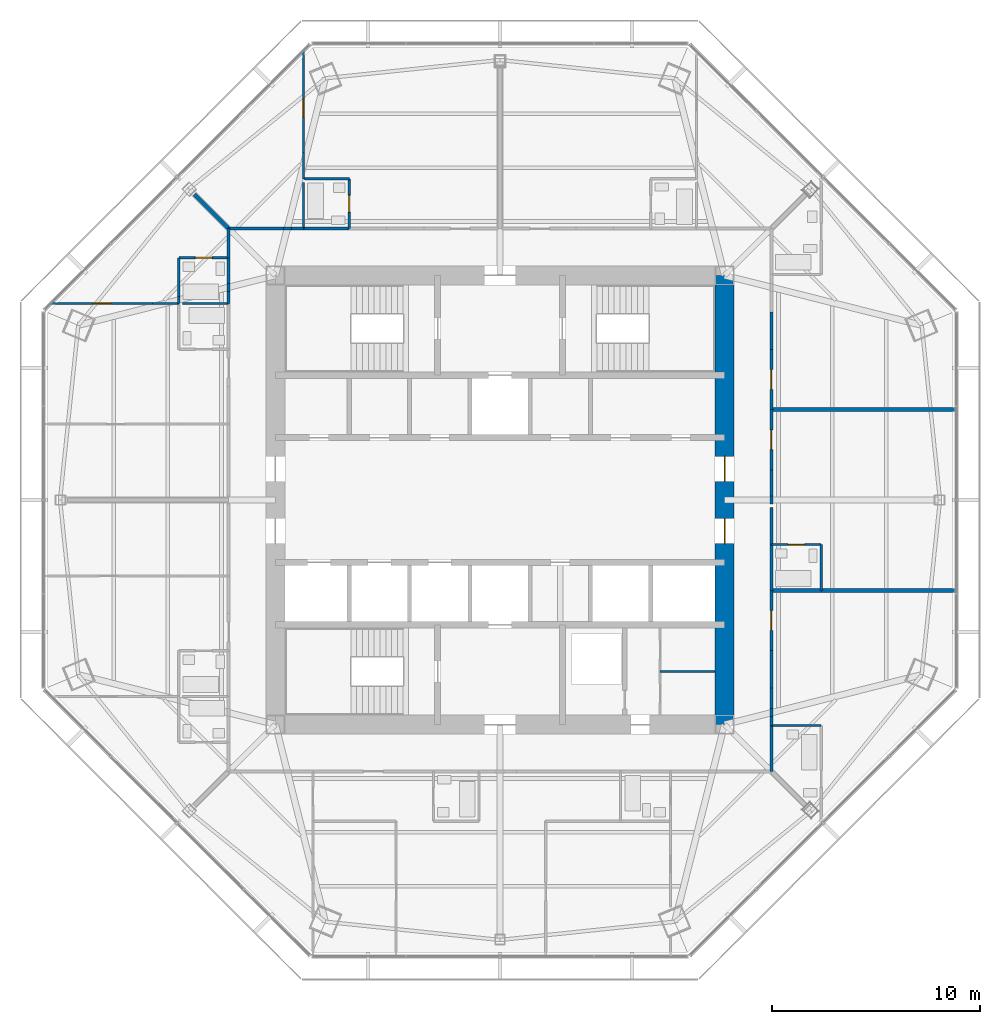
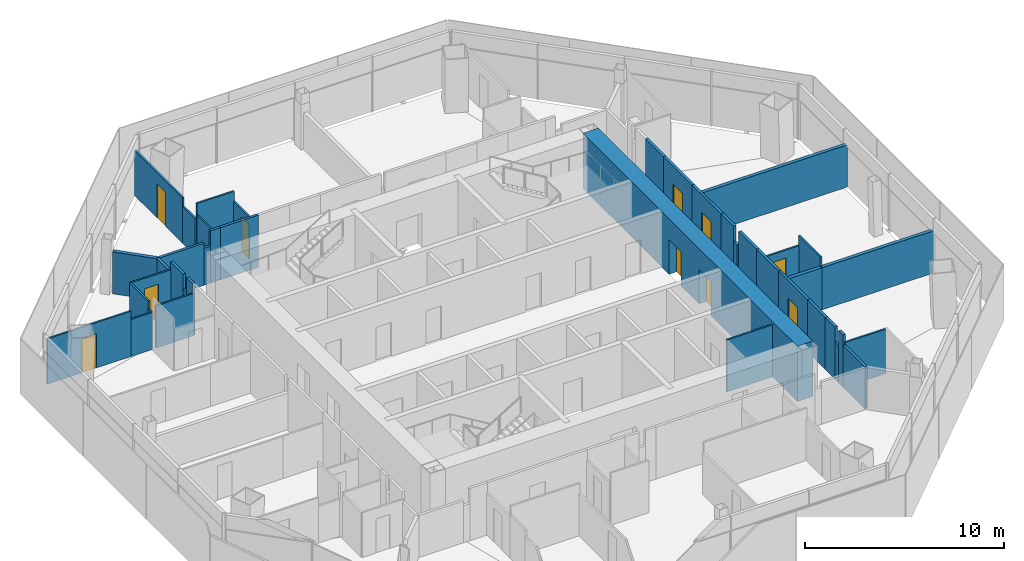
# One storey, part 11 of 15: 41 walls, 10 doors, 10 openings.
"""IFC4 building model written with IfcOpenShell, lengths in metres."""

from ifc_helpers import new_model, si_unit, direction, frame, frame_2d, origin, place, context, subcontext, project, spatial, rectangle, extrude, material, layer, layer_set, type_object, element, fill, save


model = new_model("IFC4")

# Units and contexts
model_context = context("Model", 3, precision=1e-05, world=origin(), true_north=direction((0.0, 1.0)))
body_context = subcontext(model_context, "Body", "Model", "MODEL_VIEW")
ifc_project = project(units=[si_unit("LENGTHUNIT", "METRE"), si_unit("AREAUNIT", "SQUARE_METRE"), si_unit("VOLUMEUNIT", "CUBIC_METRE"), si_unit("PLANEANGLEUNIT", "RADIAN"), si_unit("MASSUNIT", "GRAM", prefix="KILO")], contexts=[model_context])

# Site, building, storey
site_placement = place(None, origin())
site = spatial("IfcSite", under=ifc_project, at=site_placement, CompositionType="ELEMENT")
building_placement = place(site_placement, origin())
building = spatial("IfcBuilding", under=site, at=building_placement, Name="Mashrafa Tower", CompositionType="ELEMENT")
storey_placement = place(building_placement, frame((0.0, 0.0, 214.199951171875)))
storey = spatial("IfcBuildingStorey", under=building, at=storey_placement, Name="L49", CompositionType="ELEMENT", Elevation=214.199951171875)

# Walls
ifc_material_1 = material(Name="Gypsum board on steel studs", Category="steel")
ifc_layer_1 = layer(ifc_material_1, 0.199951171875)
ifc_layer_set_1 = layer_set([ifc_layer_1], Name="Acoustic partition 200 1 hr")
wall_type_1 = type_object("IfcWallType", Name="Acoustic partition 200 1 hr", PredefinedType="PARTITIONING", material=ifc_layer_set_1)
wall_1_placement = place(storey_placement, frame((15.450927734375, -4.35009765625, 0.0), z_axis=(0.0, 0.0, 1.0), x_axis=(-1.0, 0.0, 0.0)))
element("IfcWall", 1, at=wall_1_placement, inside=storey, type_object=wall_type_1, Name="Acoustic wall L49-064", PredefinedType="PARTITIONING", context=body_context, shape_type="SweptSolid", body=[
    extrude(rectangle(XDim=2.40087890625, YDim=0.199951171875, at=frame_2d((1.200439453125, 0.0))), origin(), (0.0, 0.0, 1.0), 2.590576171875),
])
wall_2_placement = place(storey_placement, frame((21.937255859375, -4.35009765625, 0.0), z_axis=(0.0, 0.0, 1.0), x_axis=(-1.0, 0.0, 0.0)))
element("IfcWall", 2, at=wall_2_placement, inside=storey, type_object=wall_type_1, Name="Acoustic wall L49-065", PredefinedType="PARTITIONING", context=body_context, shape_type="SweptSolid", body=[
    extrude(rectangle(XDim=6.48828125, YDim=0.199951171875, at=frame_2d((3.244140625, 0.0))), origin(), (0.0, 0.0, 1.0), 2.590576171875),
])
wall_3_placement = place(storey_placement, frame((21.937255859375, 4.35009765625, 0.0), z_axis=(0.0, 0.0, 1.0), x_axis=(-1.0, 0.0, 0.0)))
element("IfcWall", 3, at=wall_3_placement, inside=storey, type_object=wall_type_1, Name="Acoustic wall L49-068", PredefinedType="PARTITIONING", context=body_context, shape_type="SweptSolid", body=[
    extrude(rectangle(XDim=8.88720703125, YDim=0.199951171875, at=frame_2d((4.443603515625, 0.0))), origin(), (0.0, 0.0, 1.0), 2.590576171875),
])
wall_4_placement = place(storey_placement, frame((-14.70068359375, 14.70068359375, 0.0), z_axis=(0.0, 0.0, 1.0), x_axis=(0.707106781187, -0.707106781187, 0.0)))
element("IfcWall", 4, at=wall_4_placement, inside=storey, type_object=wall_type_1, Name="Acoustic wall L49-081", PredefinedType="PARTITIONING", context=body_context, shape_type="SweptSolid", body=[
    extrude(rectangle(XDim=2.334228515625, YDim=0.199951171875, at=frame_2d((1.1669921875, 0.0))), origin(), (0.0, 0.0, 1.0), 2.577880859375),
])

# Wall, openings, doors
ifc_material_2 = material(Name="Concrete C50/60", Category="concrete")
ifc_layer_2 = layer(ifc_material_2, 0.89990234375)
ifc_layer_set_2 = layer_set([ifc_layer_2], Name="Core wall 900 C50/60")
wall_type_2 = type_object("IfcWallType", Name="Core wall 900 C50/60", PredefinedType="SOLIDWALL", material=ifc_layer_set_2)
wall_5_placement = place(storey_placement, frame((10.800048828125, -10.800048828125, 0.0), z_axis=(0.0, 0.0, 1.0), x_axis=(0.0, 1.0, 0.0)))
wall_5 = element("IfcWall", 5, at=wall_5_placement, inside=storey, type_object=wall_type_2, Name="Core wall CW-E L49", PredefinedType="SOLIDWALL", context=body_context, shape_type="SweptSolid", body=[
    extrude(rectangle(XDim=21.60009765625, YDim=0.89990234375, at=frame_2d((10.800048828125, 0.0))), origin(), (0.0, 0.0, 1.0), 3.400146484375),
])
opening_1_placement = place(wall_5_placement, frame((11.699951171875, 0.0, 0.0)))
opening_1 = element("IfcOpeningElement", 6, at=opening_1_placement, cuts=wall_5, Name="Opening 49.030", PredefinedType="OPENING", context=body_context, shape_type="SweptSolid", body=[
    extrude(rectangle(XDim=1.199951171875, YDim=2.10009765625, at=frame_2d((0.60009765625, 1.050048828125))), frame((0.0, 0.4599609375, 0.0), z_axis=(0.0, -1.0, 0.0), x_axis=(1.0, 0.0, 0.0)), (0.0, 0.0, 1.0), 0.919921875),
])
opening_2_placement = place(wall_5_placement, frame((8.699951171875, 0.0, 0.0)))
opening_2 = element("IfcOpeningElement", 7, at=opening_2_placement, cuts=wall_5, Name="Opening 49.032", PredefinedType="OPENING", context=body_context, shape_type="SweptSolid", body=[
    extrude(rectangle(XDim=1.199951171875, YDim=2.10009765625, at=frame_2d((0.60009765625, 1.050048828125))), frame((0.0, 0.4599609375, 0.0), z_axis=(0.0, -1.0, 0.0), x_axis=(1.0, 0.0, 0.0)), (0.0, 0.0, 1.0), 0.919921875),
])
ifc_material_3 = material(Name="Steel door", Category="steel")
door_type_1 = type_object("IfcDoorType", Name="Lift hall door 1200 x 2100 90 min", OperationType="USERDEFINED", PredefinedType="DOOR", material=ifc_material_3)
door_1_placement = place(opening_1_placement, frame((1.199951171875, 0.0, 0.0), z_axis=(0.0, 0.0, 1.0), x_axis=(-1.0, 0.0, 0.0)))
door_1 = element("IfcDoor", 8, at=door_1_placement, inside=storey, type_object=door_type_1, Name="Lift hall door east L49", OperationType="SINGLE_SWING_LEFT", OverallHeight=2.10009765625, OverallWidth=1.199951171875, PredefinedType="DOOR", context=body_context, shape_type="SweptSolid", body=[
    extrude(rectangle(XDim=1.199951171875, YDim=2.10009765625, at=frame_2d((0.60009765625, 1.050048828125))), frame((0.0, 0.02490234375, 0.0), z_axis=(0.0, -1.0, 0.0), x_axis=(1.0, 0.0, 0.0)), (0.0, 0.0, 1.0), 0.050048828125),
])
fill(opening_1, door_1)
door_2_placement = place(opening_2_placement, frame((1.199951171875, 0.0, 0.0), z_axis=(0.0, 0.0, 1.0), x_axis=(-1.0, 0.0, 0.0)))
door_2 = element("IfcDoor", 9, at=door_2_placement, inside=storey, type_object=door_type_1, Name="Lift hall door east L49", OperationType="SINGLE_SWING_RIGHT", OverallHeight=2.10009765625, OverallWidth=1.199951171875, PredefinedType="DOOR", context=body_context, shape_type="SweptSolid", body=[
    extrude(rectangle(XDim=1.199951171875, YDim=2.10009765625, at=frame_2d((0.60009765625, 1.050048828125))), frame((0.0, 0.02490234375, 0.0), z_axis=(0.0, -1.0, 0.0), x_axis=(1.0, 0.0, 0.0)), (0.0, 0.0, 1.0), 0.050048828125),
])
fill(opening_2, door_2)

# Walls
ifc_material_4 = material(Name="Gypsum board on steel studs", Category="steel")
ifc_layer_3 = layer(ifc_material_4, 0.14990234375)
ifc_layer_set_3 = layer_set([ifc_layer_3], Name="Corridor partition 150 1 hr")
wall_type_3 = type_object("IfcWallType", Name="Corridor partition 150 1 hr", PredefinedType="PARTITIONING", material=ifc_layer_set_3)
wall_6_placement = place(storey_placement, frame((13.050048828125, -13.050048828125, 0.0), z_axis=(0.0, 0.0, 1.0), x_axis=(0.0, 1.0, 0.0)))
element("IfcWall", 10, at=wall_6_placement, inside=storey, type_object=wall_type_3, Name="Corridor wall L49-001", PredefinedType="PARTITIONING", context=body_context, shape_type="SweptSolid", body=[
    extrude(rectangle(XDim=2.200927734375, YDim=0.14990234375, at=frame_2d((1.1005859375, 0.0))), origin(), (0.0, 0.0, 1.0), 2.577880859375),
])
wall_7_placement = place(storey_placement, frame((13.050048828125, -9.051025390625, 0.0), z_axis=(0.0, 0.0, 1.0), x_axis=(0.0, 1.0, 0.0)))
element("IfcWall", 11, at=wall_7_placement, inside=storey, type_object=wall_type_3, Name="Corridor wall L49-002", PredefinedType="PARTITIONING", context=body_context, shape_type="SweptSolid", body=[
    extrude(rectangle(XDim=1.802001953125, YDim=0.14990234375, at=frame_2d((0.90087890625, 0.0))), origin(), (0.0, 0.0, 1.0), 3.199951171875),
])
wall_8_placement = place(storey_placement, frame((13.050048828125, -10.85107421875, 0.0), z_axis=(0.0, 0.0, 1.0), x_axis=(0.0, 1.0, 0.0)))
element("IfcWall", 12, at=wall_8_placement, inside=storey, type_object=wall_type_3, Name="Corridor wall L49-003", PredefinedType="PARTITIONING", context=body_context, shape_type="SweptSolid", body=[
    extrude(rectangle(XDim=0.447021484375, YDim=0.14990234375, at=frame_2d((0.2236328125, 0.0))), origin(), (0.0, 0.0, 1.0), 3.199951171875),
])
wall_9_placement = place(storey_placement, frame((13.050048828125, -10.027099609375, 0.0), z_axis=(0.0, 0.0, 1.0), x_axis=(0.0, 1.0, 0.0)))
element("IfcWall", 13, at=wall_9_placement, inside=storey, type_object=wall_type_3, Name="Corridor wall L49-004", PredefinedType="PARTITIONING", context=body_context, shape_type="SweptSolid", body=[
    extrude(rectangle(XDim=0.97802734375, YDim=0.14990234375, at=frame_2d((0.489013671875, 0.0))), origin(), (0.0, 0.0, 1.0), 3.199951171875),
])
wall_10_placement = place(storey_placement, frame((13.050048828125, -10.404052734375, 0.0), z_axis=(0.0, 0.0, 1.0), x_axis=(0.0, 1.0, 0.0)))
element("IfcWall", 14, at=wall_10_placement, inside=storey, type_object=wall_type_3, Name="Corridor wall L49-005", PredefinedType="PARTITIONING", context=body_context, shape_type="SweptSolid", body=[
    extrude(rectangle(XDim=0.376953125, YDim=0.14990234375, at=frame_2d((0.1884765625, 0.0))), origin(), (0.0, 0.0, 1.0), 2.26806640625),
])

# Wall, opening, door
wall_11_placement = place(storey_placement, frame((13.050048828125, -7.2509765625, 0.0), z_axis=(0.0, 0.0, 1.0), x_axis=(0.0, 1.0, 0.0)))
wall_11 = element("IfcWall", 15, at=wall_11_placement, inside=storey, type_object=wall_type_3, Name="Corridor wall L49-006", PredefinedType="PARTITIONING", context=body_context, shape_type="SweptSolid", body=[
    extrude(rectangle(XDim=2.90185546875, YDim=0.14990234375, at=frame_2d((1.450927734375, 0.0))), origin(), (0.0, 0.0, 1.0), 3.199951171875),
])
opening_3_placement = place(wall_11_placement, frame((0.97607421875, 0.0, 0.0)))
opening_3 = element("IfcOpeningElement", 16, at=opening_3_placement, cuts=wall_11, Name="Opening 49.002", PredefinedType="OPENING", context=body_context, shape_type="SweptSolid", body=[
    extrude(rectangle(XDim=0.949951171875, YDim=2.10009765625, at=frame_2d((0.47509765625, 1.050048828125))), frame((0.0, 0.0849609375, 0.0), z_axis=(0.0, -1.0, 0.0), x_axis=(1.0, 0.0, 0.0)), (0.0, 0.0, 1.0), 0.169921875),
])
ifc_material_5 = material(Name="Steel door", Category="steel")
door_type_2 = type_object("IfcDoorType", Name="Residence entrance door 950 x 2100 20 min", OperationType="USERDEFINED", PredefinedType="DOOR", material=ifc_material_5)
door_3_placement = place(opening_3_placement, frame((0.949951171875, 0.0, 0.0), z_axis=(0.0, 0.0, 1.0), x_axis=(-1.0, 0.0, 0.0)))
door_3 = element("IfcDoor", 17, at=door_3_placement, inside=storey, type_object=door_type_2, Name="Apartment 4901 Studio Living Room door", OperationType="SINGLE_SWING_LEFT", OverallHeight=2.10009765625, OverallWidth=0.949951171875, PredefinedType="DOOR", context=body_context, shape_type="SweptSolid", body=[
    extrude(rectangle(XDim=0.949951171875, YDim=2.10009765625, at=frame_2d((0.47509765625, 1.050048828125))), frame((0.0, 0.02490234375, 0.0), z_axis=(0.0, -1.0, 0.0), x_axis=(1.0, 0.0, 0.0)), (0.0, 0.0, 1.0), 0.050048828125),
])
fill(opening_3, door_3)

# Walls
wall_12_placement = place(storey_placement, frame((13.050048828125, -4.35107421875, 0.0), z_axis=(0.0, 0.0, 1.0), x_axis=(0.0, 1.0, 0.0)))
element("IfcWall", 18, at=wall_12_placement, inside=storey, type_object=wall_type_3, Name="Corridor wall L49-007", PredefinedType="PARTITIONING", context=body_context, shape_type="SweptSolid", body=[
    extrude(rectangle(XDim=2.2021484375, YDim=0.14990234375, at=frame_2d((1.10107421875, 0.0))), origin(), (0.0, 0.0, 1.0), 3.199951171875),
])
wall_13_placement = place(storey_placement, frame((13.050048828125, 0.18359375, 0.0), z_axis=(0.0, 0.0, 1.0), x_axis=(0.0, 1.0, 0.0)))
element("IfcWall", 19, at=wall_13_placement, inside=storey, type_object=wall_type_3, Name="Corridor wall L49-008", PredefinedType="PARTITIONING", context=body_context, shape_type="SweptSolid", body=[
    extrude(rectangle(XDim=1.267333984375, YDim=0.14990234375, at=frame_2d((0.6337890625, 0.0))), origin(), (0.0, 0.0, 1.0), 3.199951171875),
])
wall_14_placement = place(storey_placement, frame((13.050048828125, -0.18359375, 0.0), z_axis=(0.0, 0.0, 1.0), x_axis=(0.0, 1.0, 0.0)))
element("IfcWall", 20, at=wall_14_placement, inside=storey, type_object=wall_type_3, Name="Corridor wall L49-009", PredefinedType="PARTITIONING", context=body_context, shape_type="SweptSolid", body=[
    extrude(rectangle(XDim=0.3671875, YDim=0.14990234375, at=frame_2d((0.18359375, 0.0))), origin(), (0.0, 0.0, 1.0), 2.2529296875),
])
wall_15_placement = place(storey_placement, frame((13.050048828125, -2.15087890625, 0.0), z_axis=(0.0, 0.0, 1.0), x_axis=(0.0, 1.0, 0.0)))
element("IfcWall", 21, at=wall_15_placement, inside=storey, type_object=wall_type_3, Name="Corridor wall L49-010", PredefinedType="PARTITIONING", context=body_context, shape_type="SweptSolid", body=[
    extrude(rectangle(XDim=1.8017578125, YDim=0.14990234375, at=frame_2d((0.90087890625, 0.0))), origin(), (0.0, 0.0, 1.0), 3.199951171875),
])

# Wall, opening, door
wall_16_placement = place(storey_placement, frame((13.050048828125, 1.448974609375, 0.0), z_axis=(0.0, 0.0, 1.0), x_axis=(0.0, 1.0, 0.0)))
wall_16 = element("IfcWall", 22, at=wall_16_placement, inside=storey, type_object=wall_type_3, Name="Corridor wall L49-011", PredefinedType="PARTITIONING", context=body_context, shape_type="SweptSolid", body=[
    extrude(rectangle(XDim=2.902099609375, YDim=0.14990234375, at=frame_2d((1.451171875, 0.0))), origin(), (0.0, 0.0, 1.0), 3.199951171875),
])
opening_4_placement = place(wall_16_placement, frame((0.97607421875, 0.0, 0.0)))
opening_4 = element("IfcOpeningElement", 23, at=opening_4_placement, cuts=wall_16, Name="Opening 49.004", PredefinedType="OPENING", context=body_context, shape_type="SweptSolid", body=[
    extrude(rectangle(XDim=0.949951171875, YDim=2.10009765625, at=frame_2d((0.47509765625, 1.050048828125))), frame((0.0, 0.0849609375, 0.0), z_axis=(0.0, -1.0, 0.0), x_axis=(1.0, 0.0, 0.0)), (0.0, 0.0, 1.0), 0.169921875),
])
door_4_placement = place(opening_4_placement, frame((0.949951171875, 0.0, 0.0), z_axis=(0.0, 0.0, 1.0), x_axis=(-1.0, 0.0, 0.0)))
door_4 = element("IfcDoor", 24, at=door_4_placement, inside=storey, type_object=door_type_2, Name="Apartment 4902 Studio Living Room door", OperationType="SINGLE_SWING_LEFT", OverallHeight=2.10009765625, OverallWidth=0.949951171875, PredefinedType="DOOR", context=body_context, shape_type="SweptSolid", body=[
    extrude(rectangle(XDim=0.949951171875, YDim=2.10009765625, at=frame_2d((0.47509765625, 1.050048828125))), frame((0.0, 0.02490234375, 0.0), z_axis=(0.0, -1.0, 0.0), x_axis=(1.0, 0.0, 0.0)), (0.0, 0.0, 1.0), 0.050048828125),
])
fill(opening_4, door_4)

# Wall
wall_17_placement = place(storey_placement, frame((13.050048828125, 7.2490234375, 0.0), z_axis=(0.0, 0.0, 1.0), x_axis=(0.0, 1.0, 0.0)))
element("IfcWall", 25, at=wall_17_placement, inside=storey, type_object=wall_type_3, Name="Corridor wall L49-013", PredefinedType="PARTITIONING", context=body_context, shape_type="SweptSolid", body=[
    extrude(rectangle(XDim=1.802001953125, YDim=0.14990234375, at=frame_2d((0.90087890625, 0.0))), origin(), (0.0, 0.0, 1.0), 3.199951171875),
])

# Wall, opening, door
wall_18_placement = place(storey_placement, frame((13.050048828125, 4.34912109375, 0.0), z_axis=(0.0, 0.0, 1.0), x_axis=(0.0, 1.0, 0.0)))
wall_18 = element("IfcWall", 26, at=wall_18_placement, inside=storey, type_object=wall_type_3, Name="Corridor wall L49-014", PredefinedType="PARTITIONING", context=body_context, shape_type="SweptSolid", body=[
    extrude(rectangle(XDim=2.90185546875, YDim=0.14990234375, at=frame_2d((1.450927734375, 0.0))), origin(), (0.0, 0.0, 1.0), 3.199951171875),
])
opening_5_placement = place(wall_18_placement, frame((0.97607421875, 0.0, 0.0)))
opening_5 = element("IfcOpeningElement", 27, at=opening_5_placement, cuts=wall_18, Name="Opening 49.006", PredefinedType="OPENING", context=body_context, shape_type="SweptSolid", body=[
    extrude(rectangle(XDim=0.949951171875, YDim=2.10009765625, at=frame_2d((0.47509765625, 1.050048828125))), frame((0.0, 0.0849609375, 0.0), z_axis=(0.0, -1.0, 0.0), x_axis=(1.0, 0.0, 0.0)), (0.0, 0.0, 1.0), 0.169921875),
])
door_5_placement = place(opening_5_placement, frame((0.949951171875, 0.0, 0.0), z_axis=(0.0, 0.0, 1.0), x_axis=(-1.0, 0.0, 0.0)))
door_5 = element("IfcDoor", 28, at=door_5_placement, inside=storey, type_object=door_type_2, Name="Apartment 4903 Studio Living Room door", OperationType="SINGLE_SWING_RIGHT", OverallHeight=2.10009765625, OverallWidth=0.949951171875, PredefinedType="DOOR", context=body_context, shape_type="SweptSolid", body=[
    extrude(rectangle(XDim=0.949951171875, YDim=2.10009765625, at=frame_2d((0.47509765625, 1.050048828125))), frame((0.0, 0.02490234375, 0.0), z_axis=(0.0, -1.0, 0.0), x_axis=(1.0, 0.0, 0.0)), (0.0, 0.0, 1.0), 0.050048828125),
])
fill(opening_5, door_5)

# Walls
wall_19_placement = place(storey_placement, frame((-9.448974609375, 13.050048828125, 0.0), z_axis=(0.0, 0.0, 1.0), x_axis=(-1.0, 0.0, 0.0)))
element("IfcWall", 29, at=wall_19_placement, inside=storey, type_object=wall_type_3, Name="Corridor wall L49-025", PredefinedType="PARTITIONING", context=body_context, shape_type="SweptSolid", body=[
    extrude(rectangle(XDim=0.578125, YDim=0.14990234375, at=frame_2d((0.2890625, 0.0))), origin(), (0.0, 0.0, 1.0), 3.199951171875),
])
wall_20_placement = place(storey_placement, frame((-10.404052734375, 13.050048828125, 0.0), z_axis=(0.0, 0.0, 1.0), x_axis=(-1.0, 0.0, 0.0)))
element("IfcWall", 30, at=wall_20_placement, inside=storey, type_object=wall_type_3, Name="Corridor wall L49-026", PredefinedType="PARTITIONING", context=body_context, shape_type="SweptSolid", body=[
    extrude(rectangle(XDim=2.64599609375, YDim=0.14990234375, at=frame_2d((1.322998046875, 0.0))), origin(), (0.0, 0.0, 1.0), 2.577880859375),
])
wall_21_placement = place(storey_placement, frame((-10.027099609375, 13.050048828125, 0.0), z_axis=(0.0, 0.0, 1.0), x_axis=(-1.0, 0.0, 0.0)))
element("IfcWall", 31, at=wall_21_placement, inside=storey, type_object=wall_type_3, Name="Corridor wall L49-027", PredefinedType="PARTITIONING", context=body_context, shape_type="SweptSolid", body=[
    extrude(rectangle(XDim=0.376953125, YDim=0.14990234375, at=frame_2d((0.1884765625, 0.0))), origin(), (0.0, 0.0, 1.0), 2.26806640625),
])
wall_22_placement = place(storey_placement, frame((-7.2490234375, 13.050048828125, 0.0), z_axis=(0.0, 0.0, 1.0), x_axis=(-1.0, 0.0, 0.0)))
element("IfcWall", 32, at=wall_22_placement, inside=storey, type_object=wall_type_3, Name="Corridor wall L49-028", PredefinedType="PARTITIONING", context=body_context, shape_type="SweptSolid", body=[
    extrude(rectangle(XDim=2.201904296875, YDim=0.14990234375, at=frame_2d((1.10107421875, 0.0))), origin(), (0.0, 0.0, 1.0), 3.199951171875),
])
wall_23_placement = place(storey_placement, frame((-13.050048828125, 11.65087890625, 0.0), z_axis=(0.0, 0.0, 1.0), x_axis=(0.0, -1.0, 0.0)))
element("IfcWall", 33, at=wall_23_placement, inside=storey, type_object=wall_type_3, Name="Corridor wall L49-032", PredefinedType="PARTITIONING", context=body_context, shape_type="SweptSolid", body=[
    extrude(rectangle(XDim=1.246826171875, YDim=0.14990234375, at=frame_2d((0.62353515625, 0.0))), origin(), (0.0, 0.0, 1.0), 3.199951171875),
])
wall_24_placement = place(storey_placement, frame((-13.050048828125, 10.027099609375, 0.0), z_axis=(0.0, 0.0, 1.0), x_axis=(0.0, -1.0, 0.0)))
element("IfcWall", 34, at=wall_24_placement, inside=storey, type_object=wall_type_3, Name="Corridor wall L49-033", PredefinedType="PARTITIONING", context=body_context, shape_type="SweptSolid", body=[
    extrude(rectangle(XDim=0.578125, YDim=0.14990234375, at=frame_2d((0.2890625, 0.0))), origin(), (0.0, 0.0, 1.0), 3.199951171875),
])
wall_25_placement = place(storey_placement, frame((-13.050048828125, 10.404052734375, 0.0), z_axis=(0.0, 0.0, 1.0), x_axis=(0.0, -1.0, 0.0)))
element("IfcWall", 35, at=wall_25_placement, inside=storey, type_object=wall_type_3, Name="Corridor wall L49-034", PredefinedType="PARTITIONING", context=body_context, shape_type="SweptSolid", body=[
    extrude(rectangle(XDim=0.376953125, YDim=0.14990234375, at=frame_2d((0.1884765625, 0.0))), origin(), (0.0, 0.0, 1.0), 2.26806640625),
])
wall_26_placement = place(storey_placement, frame((-13.050048828125, 13.050048828125, 0.0), z_axis=(0.0, 0.0, 1.0), x_axis=(0.0, -1.0, 0.0)))
element("IfcWall", 36, at=wall_26_placement, inside=storey, type_object=wall_type_3, Name="Corridor wall L49-035", PredefinedType="PARTITIONING", context=body_context, shape_type="SweptSolid", body=[
    extrude(rectangle(XDim=1.401123046875, YDim=0.14990234375, at=frame_2d((0.70068359375, 0.0))), origin(), (0.0, 0.0, 1.0), 2.577880859375),
])
ifc_material_6 = material(Name="Gypsum board on steel studs", Category="steel")
ifc_layer_4 = layer(ifc_material_6, 0.10009765625)
ifc_layer_set_4 = layer_set([ifc_layer_4], Name="Partition 100")
wall_type_4 = type_object("IfcWallType", Name="Partition 100", PredefinedType="PARTITIONING", material=ifc_layer_set_4)
wall_27_placement = place(storey_placement, frame((15.449951171875, -10.85009765625, 0.0), z_axis=(0.0, 0.0, 1.0), x_axis=(-1.0, 0.0, 0.0)))
element("IfcWall", 37, at=wall_27_placement, inside=storey, type_object=wall_type_4, Name="Partition wall L49-062", PredefinedType="PARTITIONING", context=body_context, shape_type="SweptSolid", body=[
    extrude(rectangle(XDim=2.39990234375, YDim=0.10009765625, at=frame_2d((1.199951171875, 0.0))), origin(), (0.0, 0.0, 1.0), 2.740478515625),
])
wall_28_placement = place(storey_placement, frame((15.449951171875, -4.35009765625, 0.0), z_axis=(0.0, 0.0, 1.0), x_axis=(0.0, 1.0, 0.0)))
element("IfcWall", 38, at=wall_28_placement, inside=storey, type_object=wall_type_4, Name="Partition wall L49-066", PredefinedType="PARTITIONING", context=body_context, shape_type="SweptSolid", body=[
    extrude(rectangle(XDim=2.2001953125, YDim=0.10009765625, at=frame_2d((1.10009765625, 0.0))), origin(), (0.0, 0.0, 1.0), 3.199951171875),
])

# Wall, opening, door
wall_29_placement = place(storey_placement, frame((15.449951171875, -2.14990234375, 0.0), z_axis=(0.0, 0.0, 1.0), x_axis=(-1.0, 0.0, 0.0)))
wall_29 = element("IfcWall", 39, at=wall_29_placement, inside=storey, type_object=wall_type_4, Name="Partition wall L49-067", PredefinedType="PARTITIONING", context=body_context, shape_type="SweptSolid", body=[
    extrude(rectangle(XDim=2.39990234375, YDim=0.10009765625, at=frame_2d((1.199951171875, 0.0))), origin(), (0.0, 0.0, 1.0), 2.590576171875),
])
opening_6_placement = place(wall_29_placement, frame((0.800048828125, 0.0, 0.0)))
opening_6 = element("IfcOpeningElement", 40, at=opening_6_placement, cuts=wall_29, Name="Opening 49.003", PredefinedType="OPENING", context=body_context, shape_type="SweptSolid", body=[
    extrude(rectangle(XDim=0.800048828125, YDim=2.10009765625, at=frame_2d((0.39990234375, 1.050048828125))), frame((0.0, 0.06005859375, 0.0), z_axis=(0.0, -1.0, 0.0), x_axis=(1.0, 0.0, 0.0)), (0.0, 0.0, 1.0), 0.1201171875),
])
ifc_material_7 = material(Name="Timber door", Category="wood")
door_type_3 = type_object("IfcDoorType", Name="Bathroom door 800 x 2100", OperationType="USERDEFINED", PredefinedType="DOOR", material=ifc_material_7)
door_6_placement = place(opening_6_placement, origin())
door_6 = element("IfcDoor", 41, at=door_6_placement, inside=storey, type_object=door_type_3, Name="Apartment 4902 Bathroom door", OperationType="SINGLE_SWING_RIGHT", OverallHeight=2.10009765625, OverallWidth=0.800048828125, PredefinedType="DOOR", context=body_context, shape_type="SweptSolid", body=[
    extrude(rectangle(XDim=0.800048828125, YDim=2.10009765625, at=frame_2d((0.39990234375, 1.050048828125))), frame((0.0, 0.02490234375, 0.0), z_axis=(0.0, -1.0, 0.0), x_axis=(1.0, 0.0, 0.0)), (0.0, 0.0, 1.0), 0.050048828125),
])
fill(opening_6, door_6)

# Wall
wall_30_placement = place(storey_placement, frame((-9.449951171875, 13.050048828125, 0.0), z_axis=(0.0, 0.0, 1.0), x_axis=(0.0, 1.0, 0.0)))
element("IfcWall", 42, at=wall_30_placement, inside=storey, type_object=wall_type_4, Name="Partition wall L49-078", PredefinedType="PARTITIONING", context=body_context, shape_type="SweptSolid", body=[
    extrude(rectangle(XDim=2.221435546875, YDim=0.10009765625, at=frame_2d((1.11083984375, 0.0))), origin(), (0.0, 0.0, 1.0), 2.590576171875),
])

# Wall, opening, door
wall_31_placement = place(storey_placement, frame((-9.449951171875, 16.722412109375, 0.0), z_axis=(0.0, 0.0, 1.0), x_axis=(0.0, 1.0, 0.0)))
wall_31 = element("IfcWall", 43, at=wall_31_placement, inside=storey, type_object=wall_type_4, Name="Partition wall L49-079", PredefinedType="PARTITIONING", context=body_context, shape_type="SweptSolid", body=[
    extrude(rectangle(XDim=4.855224609375, YDim=0.10009765625, at=frame_2d((2.427734375, 0.0))), origin(), (0.0, 0.0, 1.0), 2.78369140625),
])
opening_7_placement = place(wall_31_placement, frame((1.6953125, 0.0, 0.0)))
opening_7 = element("IfcOpeningElement", 44, at=opening_7_placement, cuts=wall_31, Name="Opening 49.010", PredefinedType="OPENING", context=body_context, shape_type="SweptSolid", body=[
    extrude(rectangle(XDim=0.85009765625, YDim=2.10009765625, at=frame_2d((0.425048828125, 1.050048828125))), frame((0.0, 0.06005859375, 0.0), z_axis=(0.0, -1.0, 0.0), x_axis=(1.0, 0.0, 0.0)), (0.0, 0.0, 1.0), 0.1201171875),
])
ifc_material_8 = material(Name="Timber door", Category="wood")
door_type_4 = type_object("IfcDoorType", Name="Bedroom door 850 x 2100", OperationType="USERDEFINED", PredefinedType="DOOR", material=ifc_material_8)
door_7_placement = place(opening_7_placement, origin())
door_7 = element("IfcDoor", 45, at=door_7_placement, inside=storey, type_object=door_type_4, Name="Apartment 4905 Bedroom 1 door", OperationType="SINGLE_SWING_RIGHT", OverallHeight=2.10009765625, OverallWidth=0.85009765625, PredefinedType="DOOR", context=body_context, shape_type="SweptSolid", body=[
    extrude(rectangle(XDim=0.85009765625, YDim=2.10009765625, at=frame_2d((0.425048828125, 1.050048828125))), frame((0.0, 0.02490234375, 0.0), z_axis=(0.0, -1.0, 0.0), x_axis=(1.0, 0.0, 0.0)), (0.0, 0.0, 1.0), 0.050048828125),
])
fill(opening_7, door_7)

# Wall
wall_32_placement = place(storey_placement, frame((-9.449951171875, 15.448974609375, 0.0), z_axis=(0.0, 0.0, 1.0), x_axis=(0.0, 1.0, 0.0)))
element("IfcWall", 46, at=wall_32_placement, inside=storey, type_object=wall_type_4, Name="Partition wall L49-080", PredefinedType="PARTITIONING", context=body_context, shape_type="SweptSolid", body=[
    extrude(rectangle(XDim=1.2734375, YDim=0.10009765625, at=frame_2d((0.63671875, 0.0))), origin(), (0.0, 0.0, 1.0), 2.26806640625),
])

# Wall, opening, door
wall_33_placement = place(storey_placement, frame((-7.25, 13.050048828125, 0.0), z_axis=(0.0, 0.0, 1.0), x_axis=(0.0, 1.0, 0.0)))
wall_33 = element("IfcWall", 47, at=wall_33_placement, inside=storey, type_object=wall_type_4, Name="Partition wall L49-082", PredefinedType="PARTITIONING", context=body_context, shape_type="SweptSolid", body=[
    extrude(rectangle(XDim=2.39990234375, YDim=0.10009765625, at=frame_2d((1.199951171875, 0.0))), origin(), (0.0, 0.0, 1.0), 2.590576171875),
])
opening_8_placement = place(wall_33_placement, frame((0.800048828125, 0.0, 0.0)))
opening_8 = element("IfcOpeningElement", 48, at=opening_8_placement, cuts=wall_33, Name="Opening 49.011", PredefinedType="OPENING", context=body_context, shape_type="SweptSolid", body=[
    extrude(rectangle(XDim=0.800048828125, YDim=2.10009765625, at=frame_2d((0.39990234375, 1.050048828125))), frame((0.0, 0.06005859375, 0.0), z_axis=(0.0, -1.0, 0.0), x_axis=(1.0, 0.0, 0.0)), (0.0, 0.0, 1.0), 0.1201171875),
])
door_8_placement = place(opening_8_placement, origin())
door_8 = element("IfcDoor", 49, at=door_8_placement, inside=storey, type_object=door_type_3, Name="Apartment 4905 Bathroom door", OperationType="SINGLE_SWING_LEFT", OverallHeight=2.10009765625, OverallWidth=0.800048828125, PredefinedType="DOOR", context=body_context, shape_type="SweptSolid", body=[
    extrude(rectangle(XDim=0.800048828125, YDim=2.10009765625, at=frame_2d((0.39990234375, 1.050048828125))), frame((0.0, 0.02490234375, 0.0), z_axis=(0.0, -1.0, 0.0), x_axis=(1.0, 0.0, 0.0)), (0.0, 0.0, 1.0), 0.050048828125),
])
fill(opening_8, door_8)

# Wall
wall_34_placement = place(storey_placement, frame((-7.25, 15.449951171875, 0.0), z_axis=(0.0, 0.0, 1.0), x_axis=(-1.0, 0.0, 0.0)))
element("IfcWall", 50, at=wall_34_placement, inside=storey, type_object=wall_type_4, Name="Partition wall L49-083", PredefinedType="PARTITIONING", context=body_context, shape_type="SweptSolid", body=[
    extrude(rectangle(XDim=2.153564453125, YDim=0.10009765625, at=frame_2d((1.07666015625, 0.0))), origin(), (0.0, 0.0, 1.0), 3.199951171875),
])

# Wall, opening, door
wall_35_placement = place(storey_placement, frame((-13.050048828125, 11.64990234375, 0.0), z_axis=(0.0, 0.0, 1.0), x_axis=(-1.0, 0.0, 0.0)))
wall_35 = element("IfcWall", 51, at=wall_35_placement, inside=storey, type_object=wall_type_4, Name="Partition wall L49-084", PredefinedType="PARTITIONING", context=body_context, shape_type="SweptSolid", body=[
    extrude(rectangle(XDim=2.39990234375, YDim=0.10009765625, at=frame_2d((1.199951171875, 0.0))), origin(), (0.0, 0.0, 1.0), 2.740478515625),
])
opening_9_placement = place(wall_35_placement, frame((0.800048828125, 0.0, 0.0)))
opening_9 = element("IfcOpeningElement", 52, at=opening_9_placement, cuts=wall_35, Name="Opening 49.013", PredefinedType="OPENING", context=body_context, shape_type="SweptSolid", body=[
    extrude(rectangle(XDim=0.800048828125, YDim=2.10009765625, at=frame_2d((0.39990234375, 1.050048828125))), frame((0.0, 0.06005859375, 0.0), z_axis=(0.0, -1.0, 0.0), x_axis=(1.0, 0.0, 0.0)), (0.0, 0.0, 1.0), 0.1201171875),
])
door_9_placement = place(opening_9_placement, origin())
door_9 = element("IfcDoor", 53, at=door_9_placement, inside=storey, type_object=door_type_3, Name="Apartment 4906 En-suite Bathroom door", OperationType="SINGLE_SWING_RIGHT", OverallHeight=2.10009765625, OverallWidth=0.800048828125, PredefinedType="DOOR", context=body_context, shape_type="SweptSolid", body=[
    extrude(rectangle(XDim=0.800048828125, YDim=2.10009765625, at=frame_2d((0.39990234375, 1.050048828125))), frame((0.0, 0.02490234375, 0.0), z_axis=(0.0, -1.0, 0.0), x_axis=(1.0, 0.0, 0.0)), (0.0, 0.0, 1.0), 0.050048828125),
])
fill(opening_9, door_9)

# Walls
wall_36_placement = place(storey_placement, frame((-15.449951171875, 11.64990234375, 0.0), z_axis=(0.0, 0.0, 1.0), x_axis=(0.0, -1.0, 0.0)))
element("IfcWall", 54, at=wall_36_placement, inside=storey, type_object=wall_type_4, Name="Partition wall L49-085", PredefinedType="PARTITIONING", context=body_context, shape_type="SweptSolid", body=[
    extrude(rectangle(XDim=1.869384765625, YDim=0.10009765625, at=frame_2d((0.9345703125, 0.0))), origin(), (0.0, 0.0, 1.0), 2.740478515625),
])
wall_37_placement = place(storey_placement, frame((-15.449951171875, 9.780517578125, 0.0), z_axis=(0.0, 0.0, 1.0), x_axis=(0.0, -1.0, 0.0)))
element("IfcWall", 55, at=wall_37_placement, inside=storey, type_object=wall_type_4, Name="Partition wall L49-086", PredefinedType="PARTITIONING", context=body_context, shape_type="SweptSolid", body=[
    extrude(rectangle(XDim=0.33056640625, YDim=0.10009765625, at=frame_2d((0.165283203125, 0.0))), origin(), (0.0, 0.0, 1.0), 2.26806640625),
])
wall_38_placement = place(storey_placement, frame((-15.271484375, 9.449951171875, 0.0), z_axis=(0.0, 0.0, 1.0), x_axis=(1.0, 0.0, 0.0)))
element("IfcWall", 56, at=wall_38_placement, inside=storey, type_object=wall_type_4, Name="Partition wall L49-087", PredefinedType="PARTITIONING", context=body_context, shape_type="SweptSolid", body=[
    extrude(rectangle(XDim=2.221435546875, YDim=0.10009765625, at=frame_2d((1.11083984375, 0.0))), origin(), (0.0, 0.0, 1.0), 2.590576171875),
])

# Wall, opening, door
wall_39_placement = place(storey_placement, frame((-21.57763671875, 9.449951171875, 0.0), z_axis=(0.0, 0.0, 1.0), x_axis=(1.0, 0.0, 0.0)))
wall_39 = element("IfcWall", 57, at=wall_39_placement, inside=storey, type_object=wall_type_4, Name="Partition wall L49-088", PredefinedType="PARTITIONING", context=body_context, shape_type="SweptSolid", body=[
    extrude(rectangle(XDim=4.855224609375, YDim=0.10009765625, at=frame_2d((2.427734375, 0.0))), origin(), (0.0, 0.0, 1.0), 2.78369140625),
])
opening_10_placement = place(wall_39_placement, frame((2.006103515625, 0.0, 0.0)))
opening_10 = element("IfcOpeningElement", 58, at=opening_10_placement, cuts=wall_39, Name="Opening 49.014", PredefinedType="OPENING", context=body_context, shape_type="SweptSolid", body=[
    extrude(rectangle(XDim=0.85009765625, YDim=2.10009765625, at=frame_2d((0.425048828125, 1.050048828125))), frame((0.0, 0.06005859375, 0.0), z_axis=(0.0, -1.0, 0.0), x_axis=(1.0, 0.0, 0.0)), (0.0, 0.0, 1.0), 0.1201171875),
])
door_10_placement = place(opening_10_placement, origin())
door_10 = element("IfcDoor", 59, at=door_10_placement, inside=storey, type_object=door_type_4, Name="Apartment 4906 Bedroom 1 door", OperationType="SINGLE_SWING_LEFT", OverallHeight=2.10009765625, OverallWidth=0.85009765625, PredefinedType="DOOR", context=body_context, shape_type="SweptSolid", body=[
    extrude(rectangle(XDim=0.85009765625, YDim=2.10009765625, at=frame_2d((0.425048828125, 1.050048828125))), frame((0.0, 0.02490234375, 0.0), z_axis=(0.0, -1.0, 0.0), x_axis=(1.0, 0.0, 0.0)), (0.0, 0.0, 1.0), 0.050048828125),
])
fill(opening_10, door_10)

# Walls
wall_40_placement = place(storey_placement, frame((-16.722412109375, 9.449951171875, 0.0), z_axis=(0.0, 0.0, 1.0), x_axis=(1.0, 0.0, 0.0)))
element("IfcWall", 60, at=wall_40_placement, inside=storey, type_object=wall_type_4, Name="Partition wall L49-089", PredefinedType="PARTITIONING", context=body_context, shape_type="SweptSolid", body=[
    extrude(rectangle(XDim=1.2724609375, YDim=0.10009765625, at=frame_2d((0.63623046875, 0.0))), origin(), (0.0, 0.0, 1.0), 2.26806640625),
])
ifc_material_9 = material(Name="Gypsum board on steel studs", Category="steel")
ifc_layer_5 = layer(ifc_material_9, 0.10009765625)
ifc_layer_set_5 = layer_set([ifc_layer_5], Name="Partition 100 1 hr")
wall_type_5 = type_object("IfcWallType", Name="Partition 100 1 hr", PredefinedType="PARTITIONING", material=ifc_layer_set_5)
wall_41_placement = place(storey_placement, frame((7.699951171875, -8.25, 0.0), z_axis=(0.0, 0.0, 1.0), x_axis=(1.0, 0.0, 0.0)))
element("IfcWall", 61, at=wall_41_placement, inside=storey, type_object=wall_type_5, Name="Services lobby partition B L49", PredefinedType="PARTITIONING", context=body_context, shape_type="SweptSolid", body=[
    extrude(rectangle(XDim=2.650146484375, YDim=0.10009765625, at=frame_2d((1.3251953125, 0.0))), origin(), (0.0, 0.0, 1.0), 3.199951171875),
])

save(model, "model.ifc")
